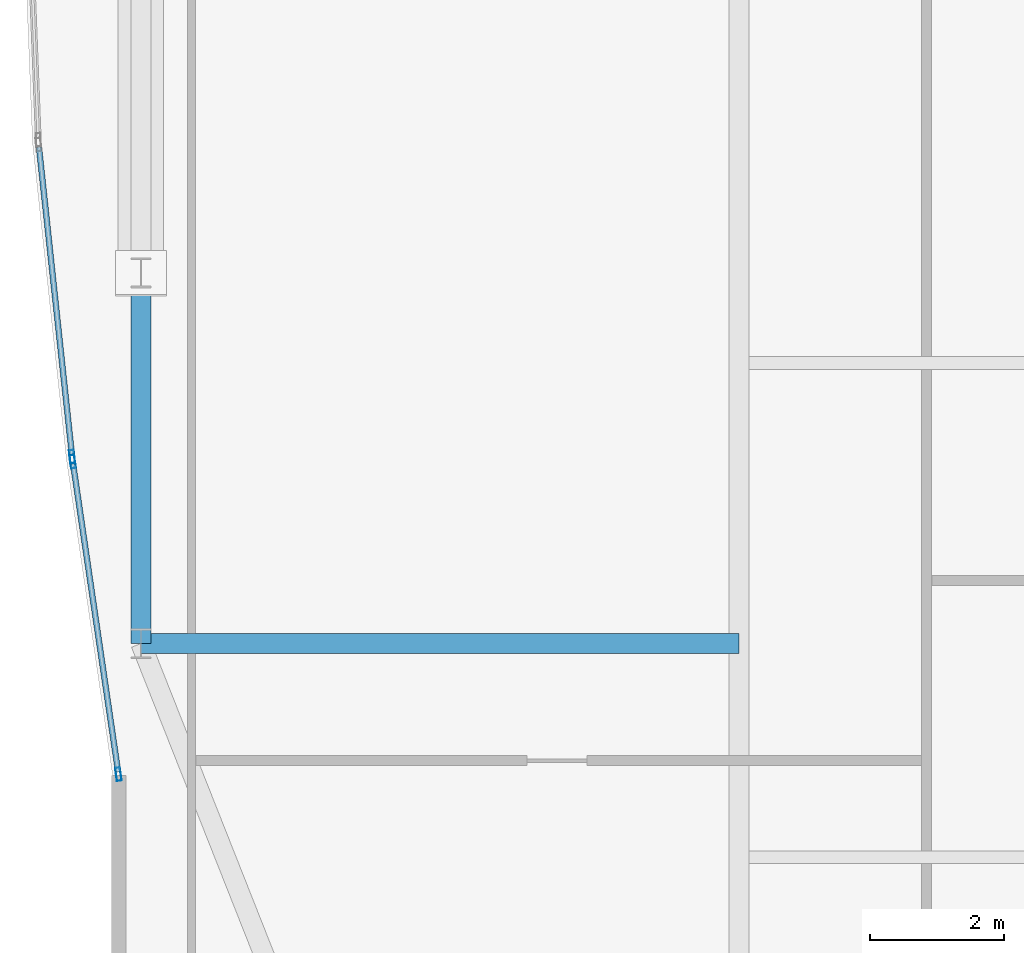
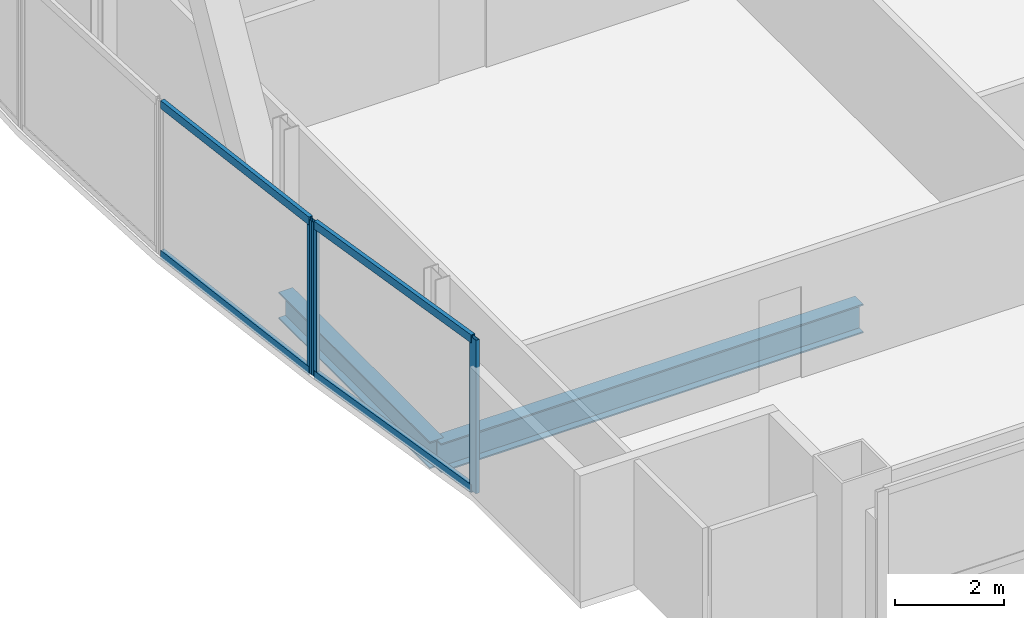
# One storey, part 6 of 31: 7 members, 2 beams, 2 elements without a shape of their own.
"""IFC4 building model written with IfcOpenShell, lengths in metres."""

from ifc_helpers import new_model, si_unit, direction, frame, origin, origin_2d, place, context, subcontext, project, spatial, hollow_rectangle, i_section, extrude, material, material_profile, profile_set, type_object, element, aggregate, save


model = new_model("IFC4")

# Units and contexts
model_context = context("Model", 3, precision=1e-05, world=origin(), true_north=direction((0.0, 1.0)))
body_context = subcontext(model_context, "Body", "Model", "MODEL_VIEW")
ifc_project = project(units=[si_unit("LENGTHUNIT", "METRE"), si_unit("AREAUNIT", "SQUARE_METRE"), si_unit("VOLUMEUNIT", "CUBIC_METRE"), si_unit("PLANEANGLEUNIT", "RADIAN"), si_unit("MASSUNIT", "GRAM", prefix="KILO")], contexts=[model_context])

# Site, building, storey
site_placement = place(None, origin())
site = spatial("IfcSite", under=ifc_project, at=site_placement, CompositionType="ELEMENT")
building_placement = place(site_placement, origin())
building = spatial("IfcBuilding", under=site, at=building_placement, Name="Khoronbel Lancet Exchange", CompositionType="ELEMENT")
storey_placement = place(building_placement, frame((0.0, 0.0, 249.800048828125)))
storey = spatial("IfcBuildingStorey", under=building, at=storey_placement, Name="L64", CompositionType="ELEMENT", Elevation=249.800048828125)

# Beams
ifc_material_1 = material(Name="Steel S355", Category="steel")
ifc_material_profile_1 = material_profile(ifc_material_1, i_section(OverallWidth=0.300048828125, OverallDepth=0.64990234375, WebThickness=0.01611328125, FlangeThickness=0.031005859375, at=origin_2d()), Name="HEB 650")
ifc_profile_set_1 = profile_set([ifc_material_profile_1], Name="Steel S355")
beam_type_1 = type_object("IfcBeamType", Name="BM-BG4", PredefinedType="BEAM", material=ifc_profile_set_1)
beam_1_placement = place(storey_placement, frame((9.27001953125, 19.199951171875, -0.485107421875), z_axis=(1.0, 0.0, 0.0), x_axis=(0.0, 1.0, 0.0)))
element("IfcBeam", 1, at=beam_1_placement, inside=storey, type_object=beam_type_1, Name="Level L64 west lens tie girder LG1W", PredefinedType="BEAM", context=body_context, shape_type="SweptSolid", body=[
    extrude(i_section(OverallWidth=0.300048828125, OverallDepth=0.64990234375, WebThickness=0.01611328125, FlangeThickness=0.031005859375, at=origin_2d()), origin(), (0.0, 0.0, 1.0), 8.955078125),
])
ifc_material_profile_2 = material_profile(ifc_material_1, i_section(OverallWidth=0.300048828125, OverallDepth=0.60009765625, WebThickness=0.015380859375, FlangeThickness=0.030029296875, at=origin_2d()), Name="HEB 600")
ifc_profile_set_2 = profile_set([ifc_material_profile_2], Name="Steel S355")
beam_type_2 = type_object("IfcBeamType", Name="BM-BSP2", PredefinedType="SPANDREL", material=ifc_profile_set_2)
beam_2_placement = place(storey_placement, frame((9.27001953125, 24.75, -0.4599609375), z_axis=(0.0, -1.0, 0.0), x_axis=(1.0, 0.0, 0.0)))
element("IfcBeam", 2, at=beam_2_placement, inside=storey, type_object=beam_type_2, Name="Level L64 perimeter spandrel beam SP20", PredefinedType="SPANDREL", context=body_context, shape_type="SweptSolid", body=[
    extrude(i_section(OverallWidth=0.300048828125, OverallDepth=0.60009765625, WebThickness=0.015380859375, FlangeThickness=0.030029296875, at=origin_2d()), origin(), (0.0, 0.0, 1.0), 5.550048828125),
])

# Curtain wall, members
ifc_material_2 = material(Name="Low-E Solar Control Insulating Glass", Category="glass")
curtain_wall_type = type_object("IfcCurtainWallType", Name="CW-4", PredefinedType="NOTDEFINED", material=ifc_material_2)
curtain_wall_1_placement = place(storey_placement, origin())
curtain_wall_1 = element("IfcCurtainWall", 3, at=curtain_wall_1_placement, inside=storey, type_object=curtain_wall_type, Name="Unitised curtain wall CW-L64-E04", PredefinedType="NOTDEFINED")
ifc_material_3 = material(Name="Bronze-Anodised Aluminium 6063-T6", Category="aluminium")
ifc_material_profile_3 = material_profile(ifc_material_3, hollow_rectangle(XDim=0.074951171875, YDim=0.199951171875, WallThickness=0.0048828125, at=origin_2d()), Name="ALU MULLION 75x200")
ifc_profile_set_3 = profile_set([ifc_material_profile_3], Name="Bronze-Anodised Aluminium 6063-T6")
member_type_1 = type_object("IfcMemberType", Name="MEM-CWM2", PredefinedType="MULLION", material=ifc_profile_set_3)
member_1_placement = place(storey_placement, frame((8.9345703125, 17.24365234375, 0.0), z_axis=(0.0, 0.0, 1.0), x_axis=(-0.989467753264, -0.144753463694, 0.0)))
member_1 = element("IfcMember", 4, at=member_1_placement, type_object=member_type_1, Name="CW4 mullion 1", PredefinedType="MULLION", context=body_context, shape_type="SweptSolid", body=[
    extrude(hollow_rectangle(XDim=0.074951171875, YDim=0.199951171875, WallThickness=0.0048828125, at=origin_2d()), origin(), (0.0, 0.0, 1.0), 3.43994140625),
])
member_2_placement = place(storey_placement, frame((8.249755859375, 21.92431640625, 0.0), z_axis=(0.0, 0.0, 1.0), x_axis=(-0.989467753264, -0.144753463694, 0.0)))
member_2 = element("IfcMember", 5, at=member_2_placement, type_object=member_type_1, Name="CW4 mullion 2", PredefinedType="MULLION", context=body_context, shape_type="SweptSolid", body=[
    extrude(hollow_rectangle(XDim=0.074951171875, YDim=0.199951171875, WallThickness=0.0048828125, at=origin_2d()), origin(), (0.0, 0.0, 1.0), 3.43994140625),
])

# Curtain wall, member
curtain_wall_2_placement = place(storey_placement, origin())
curtain_wall_2 = element("IfcCurtainWall", 6, at=curtain_wall_2_placement, inside=storey, type_object=curtain_wall_type, Name="Unitised curtain wall CW-L64-E05", PredefinedType="NOTDEFINED")
member_3_placement = place(storey_placement, frame((8.240478515625, 21.99853515625, 0.0), z_axis=(0.0, 0.0, 1.0), x_axis=(-0.994311928022, -0.106507228834, 0.0)))
member_3 = element("IfcMember", 7, at=member_3_placement, type_object=member_type_1, Name="CW4 mullion 1", PredefinedType="MULLION", context=body_context, shape_type="SweptSolid", body=[
    extrude(hollow_rectangle(XDim=0.074951171875, YDim=0.199951171875, WallThickness=0.0048828125, at=origin_2d()), origin(), (0.0, 0.0, 1.0), 3.43994140625),
])

# Member
ifc_material_profile_4 = material_profile(ifc_material_3, hollow_rectangle(XDim=0.0849609375, YDim=0.179931640625, WallThickness=0.0048828125, at=origin_2d()), Name="ALU TRANSOM 85x180")
ifc_profile_set_4 = profile_set([ifc_material_profile_4], Name="Bronze-Anodised Aluminium 6063-T6")
member_type_2 = type_object("IfcMemberType", Name="MEM-CWT1", PredefinedType="USERDEFINED", material=ifc_profile_set_4)
member_4_placement = place(storey_placement, frame((8.92919921875, 17.28076171875, 0.04248046875), z_axis=(-0.144739071958, 0.989469858585, 0.0), x_axis=(-0.989469858585, -0.144739071958, 0.0)))
member_4 = element("IfcMember", 8, at=member_4_placement, type_object=member_type_2, Name="CW4 transom 1.1", ObjectType="TRANSOM", PredefinedType="USERDEFINED", context=body_context, shape_type="SweptSolid", body=[
    extrude(hollow_rectangle(XDim=0.0849609375, YDim=0.179931640625, WallThickness=0.0048828125, at=origin_2d()), origin(), (0.0, 0.0, 1.0), 4.655517578125),
])

member_5_placement = place(storey_placement, frame((8.92919921875, 17.28076171875, 3.3974609375), z_axis=(-0.144739071958, 0.989469858585, 0.0), x_axis=(-0.989469858585, -0.144739071958, 0.0)))
member_5 = element("IfcMember", 9, at=member_5_placement, type_object=member_type_2, Name="CW4 transom 1.2", ObjectType="TRANSOM", PredefinedType="USERDEFINED", context=body_context, shape_type="SweptSolid", body=[
    extrude(hollow_rectangle(XDim=0.0849609375, YDim=0.179931640625, WallThickness=0.0048828125, at=origin_2d()), origin(), (0.0, 0.0, 1.0), 4.655517578125),
])

aggregate(curtain_wall_1, [member_1, member_2, member_4, member_5])

member_6_placement = place(storey_placement, frame((8.236328125, 22.035888671875, 0.04248046875), z_axis=(-0.106477177072, 0.994315146602, 0.0), x_axis=(-0.994315146602, -0.106477177072, 0.0)))
member_6 = element("IfcMember", 10, at=member_6_placement, type_object=member_type_2, Name="CW4 transom 1.1", ObjectType="TRANSOM", PredefinedType="USERDEFINED", context=body_context, shape_type="SweptSolid", body=[
    extrude(hollow_rectangle(XDim=0.0849609375, YDim=0.179931640625, WallThickness=0.0048828125, at=origin_2d()), origin(), (0.0, 0.0, 1.0), 4.62255859375),
])

member_7_placement = place(storey_placement, frame((8.236328125, 22.035888671875, 3.3974609375), z_axis=(-0.106477177072, 0.994315146602, 0.0), x_axis=(-0.994315146602, -0.106477177072, 0.0)))
member_7 = element("IfcMember", 11, at=member_7_placement, type_object=member_type_2, Name="CW4 transom 1.2", ObjectType="TRANSOM", PredefinedType="USERDEFINED", context=body_context, shape_type="SweptSolid", body=[
    extrude(hollow_rectangle(XDim=0.0849609375, YDim=0.179931640625, WallThickness=0.0048828125, at=origin_2d()), origin(), (0.0, 0.0, 1.0), 4.62255859375),
])

aggregate(curtain_wall_2, [member_3, member_6, member_7])

save(model, "model.ifc")
